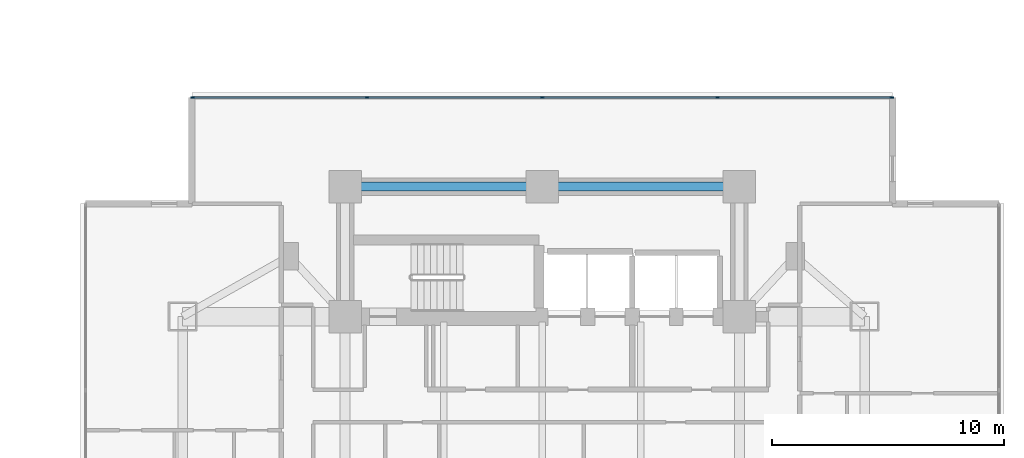
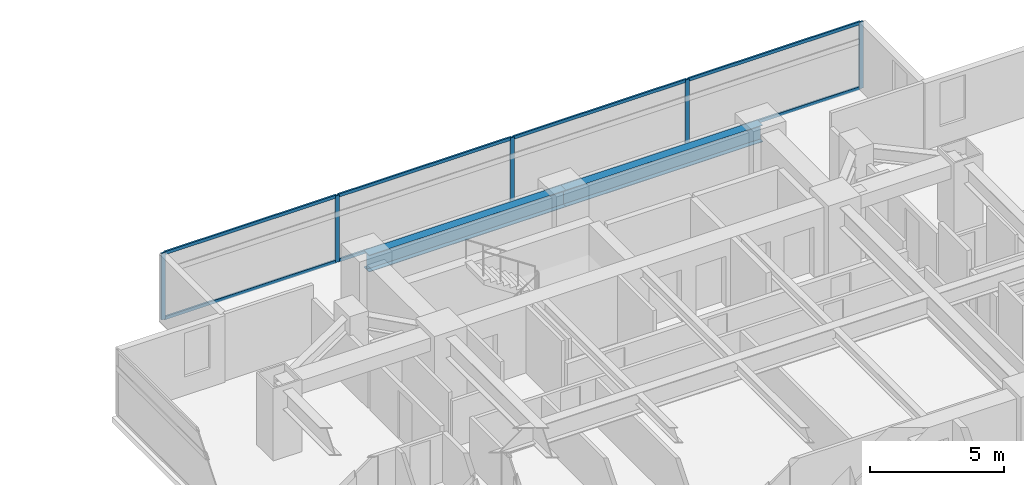
# One storey, part 12 of 26: 13 members, 2 beams, 1 element without a shape of its own.
"""IFC4 building model written with IfcOpenShell, lengths in metres."""

from ifc_helpers import new_model, si_unit, direction, frame, origin, origin_2d, place, context, subcontext, project, spatial, rectangle, i_section, extrude, material, material_profile, profile_set, type_object, element, aggregate, save


model = new_model("IFC4")

# Units and contexts
model_context = context("Model", 3, precision=1e-05, world=origin(), true_north=direction((0.0, 1.0)))
body_context = subcontext(model_context, "Body", "Model", "MODEL_VIEW")
ifc_project = project(units=[si_unit("LENGTHUNIT", "METRE"), si_unit("AREAUNIT", "SQUARE_METRE"), si_unit("VOLUMEUNIT", "CUBIC_METRE"), si_unit("PLANEANGLEUNIT", "RADIAN"), si_unit("MASSUNIT", "GRAM", prefix="KILO")], contexts=[model_context])

# Site, building, storey
site_placement = place(None, origin())
site = spatial("IfcSite", under=ifc_project, at=site_placement, CompositionType="ELEMENT")
building_placement = place(site_placement, origin())
building = spatial("IfcBuilding", under=site, at=building_placement, Name="Mirazonda Arch Towers", CompositionType="ELEMENT")
storey_placement = place(building_placement, frame((0.0, 0.0, 48.800048828125)))
storey = spatial("IfcBuildingStorey", under=building, at=storey_placement, Name="L13", CompositionType="ELEMENT", Elevation=48.800048828125)

# Beams
ifc_material_1 = material(Name="Steel ASTM A992 Grade 50", Category="steel")
ifc_material_profile_1 = material_profile(ifc_material_1, i_section(OverallWidth=0.381103515625, OverallDepth=0.77294921875, WebThickness=0.0166015625, FlangeThickness=0.027099609375, at=origin_2d()), Name="W30X173")
ifc_profile_set_1 = profile_set([ifc_material_profile_1], Name="Steel ASTM A992 Grade 50")
beam_type = type_object("IfcBeamType", Name="BM-INT-W30X173", PredefinedType="USERDEFINED", material=ifc_profile_set_1)
for number, where, z_axis, x_axis, name in (
    (1, (68.0, 40.800048828125, 2.67333984375), (1.0, 0.0, 0.0), (0.0, 1.0, 0.0), "L13 Floor Beam BM-T2-L13-CN1"),
    (2, (76.5, 40.800048828125, 2.67333984375), (1.0, 0.0, 0.0), (0.0, 1.0, 0.0), "L13 Floor Beam BM-T2-L13-CN2"),
):
    element("IfcBeam", number, at=place(storey_placement, frame(where, z_axis=z_axis, x_axis=x_axis)), inside=storey, type_object=beam_type, Name=name, ObjectType="GIRDER", PredefinedType="USERDEFINED", context=body_context, shape_type="SweptSolid", body=[
        extrude(i_section(OverallWidth=0.381103515625, OverallDepth=0.77294921875, WebThickness=0.0166015625, FlangeThickness=0.027099609375, at=origin_2d()), origin(), (0.0, 0.0, 1.0), 8.5),
    ])

# Curtain wall, members
ifc_material_2 = material(Name="Anodised Aluminium and Low-E Glass", Category="aluminium")
curtain_wall_type = type_object("IfcCurtainWallType", Name="CW-HTL-UNIT", PredefinedType="NOTDEFINED", material=ifc_material_2)
curtain_wall_placement = place(storey_placement, origin())
curtain_wall = element("IfcCurtainWall", 3, at=curtain_wall_placement, inside=storey, type_object=curtain_wall_type, Name="L13 T2 N Facade CW-L13-T2-N", PredefinedType="NOTDEFINED")
ifc_material_3 = material(Name="Anodised Aluminium Alloy", Category="aluminium")
ifc_material_profile_2 = material_profile(ifc_material_3, rectangle(XDim=0.074951171875, YDim=0.1650390625, at=origin_2d()), Name="ALU-MULL-75x165")
ifc_profile_set_2 = profile_set([ifc_material_profile_2], Name="Anodised Aluminium Alloy")
member_type_1 = type_object("IfcMemberType", Name="MULL-CW-HTL-UNIT", PredefinedType="MULLION", material=ifc_profile_set_2)
member_1_placement = place(storey_placement, frame((61.43359375, 44.646484375, 0.0), z_axis=(0.0, 0.0, 1.0), x_axis=(0.0, 1.0, 0.0)))
member_1 = element("IfcMember", 4, at=member_1_placement, type_object=member_type_1, Name="CW-112 mullion 1", PredefinedType="MULLION", context=body_context, shape_type="SweptSolid", body=[
    extrude(rectangle(XDim=0.074951171875, YDim=0.1650390625, at=origin_2d()), origin(), (0.0, 0.0, 1.0), 3.0400390625),
])
member_2_placement = place(storey_placement, frame((68.947998046875, 44.646484375, 0.0), z_axis=(0.0, 0.0, 1.0), x_axis=(0.0, 1.0, 0.0)))
member_2 = element("IfcMember", 5, at=member_2_placement, type_object=member_type_1, Name="CW-112 mullion 2", PredefinedType="MULLION", context=body_context, shape_type="SweptSolid", body=[
    extrude(rectangle(XDim=0.074951171875, YDim=0.1650390625, at=origin_2d()), origin(), (0.0, 0.0, 1.0), 3.0400390625),
])
member_3_placement = place(storey_placement, frame((76.5, 44.646484375, 0.0), z_axis=(0.0, 0.0, 1.0), x_axis=(0.0, 1.0, 0.0)))
member_3 = element("IfcMember", 6, at=member_3_placement, type_object=member_type_1, Name="CW-112 mullion 3", PredefinedType="MULLION", context=body_context, shape_type="SweptSolid", body=[
    extrude(rectangle(XDim=0.074951171875, YDim=0.1650390625, at=origin_2d()), origin(), (0.0, 0.0, 1.0), 3.0400390625),
])
member_4_placement = place(storey_placement, frame((84.052001953125, 44.646484375, 0.0), z_axis=(0.0, 0.0, 1.0), x_axis=(0.0, 1.0, 0.0)))
member_4 = element("IfcMember", 7, at=member_4_placement, type_object=member_type_1, Name="CW-112 mullion 4", PredefinedType="MULLION", context=body_context, shape_type="SweptSolid", body=[
    extrude(rectangle(XDim=0.074951171875, YDim=0.1650390625, at=origin_2d()), origin(), (0.0, 0.0, 1.0), 3.0400390625),
])
member_5_placement = place(storey_placement, frame((91.56640625, 44.646484375, 0.0), z_axis=(0.0, 0.0, 1.0), x_axis=(0.0, 1.0, 0.0)))
member_5 = element("IfcMember", 8, at=member_5_placement, type_object=member_type_1, Name="CW-112 mullion 5", PredefinedType="MULLION", context=body_context, shape_type="SweptSolid", body=[
    extrude(rectangle(XDim=0.074951171875, YDim=0.1650390625, at=origin_2d()), origin(), (0.0, 0.0, 1.0), 3.0400390625),
])
ifc_material_profile_3 = material_profile(ifc_material_3, rectangle(XDim=0.074951171875, YDim=0.14501953125, at=origin_2d()), Name="ALU-TRAN-75x145")
ifc_profile_set_3 = profile_set([ifc_material_profile_3], Name="Anodised Aluminium Alloy")
member_type_2 = type_object("IfcMemberType", Name="TRAN-CW-HTL-UNIT", PredefinedType="USERDEFINED", material=ifc_profile_set_3)
member_6_placement = place(storey_placement, frame((61.470947265625, 44.646484375, 0.037353515625), z_axis=(1.0, 0.0, 0.0), x_axis=(0.0, 1.0, 0.0)))
member_6 = element("IfcMember", 9, at=member_6_placement, type_object=member_type_2, Name="CW-112 transom 1.1", ObjectType="TRANSOM", PredefinedType="USERDEFINED", context=body_context, shape_type="SweptSolid", body=[
    extrude(rectangle(XDim=0.074951171875, YDim=0.14501953125, at=origin_2d()), origin(), (0.0, 0.0, 1.0), 7.439453125),
])
member_7_placement = place(storey_placement, frame((61.470947265625, 44.646484375, 3.00244140625), z_axis=(1.0, 0.0, 0.0), x_axis=(0.0, 1.0, 0.0)))
member_7 = element("IfcMember", 10, at=member_7_placement, type_object=member_type_2, Name="CW-112 transom 1.2", ObjectType="TRANSOM", PredefinedType="USERDEFINED", context=body_context, shape_type="SweptSolid", body=[
    extrude(rectangle(XDim=0.074951171875, YDim=0.14501953125, at=origin_2d()), origin(), (0.0, 0.0, 1.0), 7.439453125),
])
member_8_placement = place(storey_placement, frame((68.985595703125, 44.646484375, 0.037353515625), z_axis=(1.0, 0.0, 0.0), x_axis=(0.0, 1.0, 0.0)))
member_8 = element("IfcMember", 11, at=member_8_placement, type_object=member_type_2, Name="CW-112 transom 2.1", ObjectType="TRANSOM", PredefinedType="USERDEFINED", context=body_context, shape_type="SweptSolid", body=[
    extrude(rectangle(XDim=0.074951171875, YDim=0.14501953125, at=origin_2d()), origin(), (0.0, 0.0, 1.0), 7.476806640625),
])
member_9_placement = place(storey_placement, frame((68.985595703125, 44.646484375, 3.00244140625), z_axis=(1.0, 0.0, 0.0), x_axis=(0.0, 1.0, 0.0)))
member_9 = element("IfcMember", 12, at=member_9_placement, type_object=member_type_2, Name="CW-112 transom 2.2", ObjectType="TRANSOM", PredefinedType="USERDEFINED", context=body_context, shape_type="SweptSolid", body=[
    extrude(rectangle(XDim=0.074951171875, YDim=0.14501953125, at=origin_2d()), origin(), (0.0, 0.0, 1.0), 7.476806640625),
])
member_10_placement = place(storey_placement, frame((76.53759765625, 44.646484375, 0.037353515625), z_axis=(1.0, 0.0, 0.0), x_axis=(0.0, 1.0, 0.0)))
member_10 = element("IfcMember", 13, at=member_10_placement, type_object=member_type_2, Name="CW-112 transom 3.1", ObjectType="TRANSOM", PredefinedType="USERDEFINED", context=body_context, shape_type="SweptSolid", body=[
    extrude(rectangle(XDim=0.074951171875, YDim=0.14501953125, at=origin_2d()), origin(), (0.0, 0.0, 1.0), 7.476806640625),
])
member_11_placement = place(storey_placement, frame((76.53759765625, 44.646484375, 3.00244140625), z_axis=(1.0, 0.0, 0.0), x_axis=(0.0, 1.0, 0.0)))
member_11 = element("IfcMember", 14, at=member_11_placement, type_object=member_type_2, Name="CW-112 transom 3.2", ObjectType="TRANSOM", PredefinedType="USERDEFINED", context=body_context, shape_type="SweptSolid", body=[
    extrude(rectangle(XDim=0.074951171875, YDim=0.14501953125, at=origin_2d()), origin(), (0.0, 0.0, 1.0), 7.476806640625),
])
member_12_placement = place(storey_placement, frame((84.089599609375, 44.646484375, 0.037353515625), z_axis=(1.0, 0.0, 0.0), x_axis=(0.0, 1.0, 0.0)))
member_12 = element("IfcMember", 15, at=member_12_placement, type_object=member_type_2, Name="CW-112 transom 4.1", ObjectType="TRANSOM", PredefinedType="USERDEFINED", context=body_context, shape_type="SweptSolid", body=[
    extrude(rectangle(XDim=0.074951171875, YDim=0.14501953125, at=origin_2d()), origin(), (0.0, 0.0, 1.0), 7.439453125),
])
member_13_placement = place(storey_placement, frame((84.089599609375, 44.646484375, 3.00244140625), z_axis=(1.0, 0.0, 0.0), x_axis=(0.0, 1.0, 0.0)))
member_13 = element("IfcMember", 16, at=member_13_placement, type_object=member_type_2, Name="CW-112 transom 4.2", ObjectType="TRANSOM", PredefinedType="USERDEFINED", context=body_context, shape_type="SweptSolid", body=[
    extrude(rectangle(XDim=0.074951171875, YDim=0.14501953125, at=origin_2d()), origin(), (0.0, 0.0, 1.0), 7.439453125),
])
aggregate(curtain_wall, [member_1, member_2, member_3, member_4, member_5, member_6, member_7, member_8, member_9, member_10, member_11, member_12, member_13])

save(model, "model.ifc")
